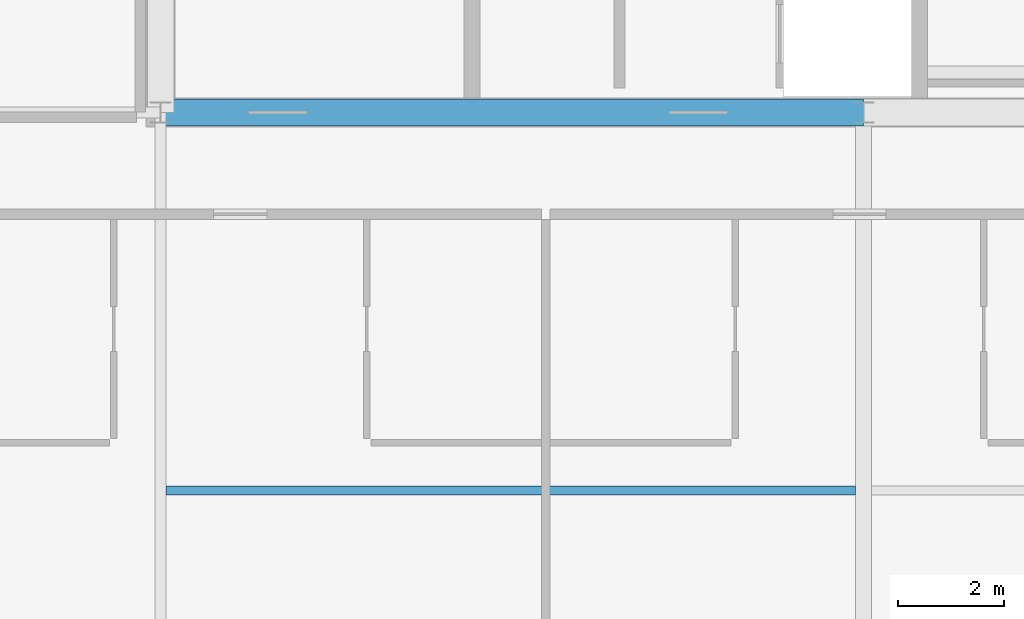
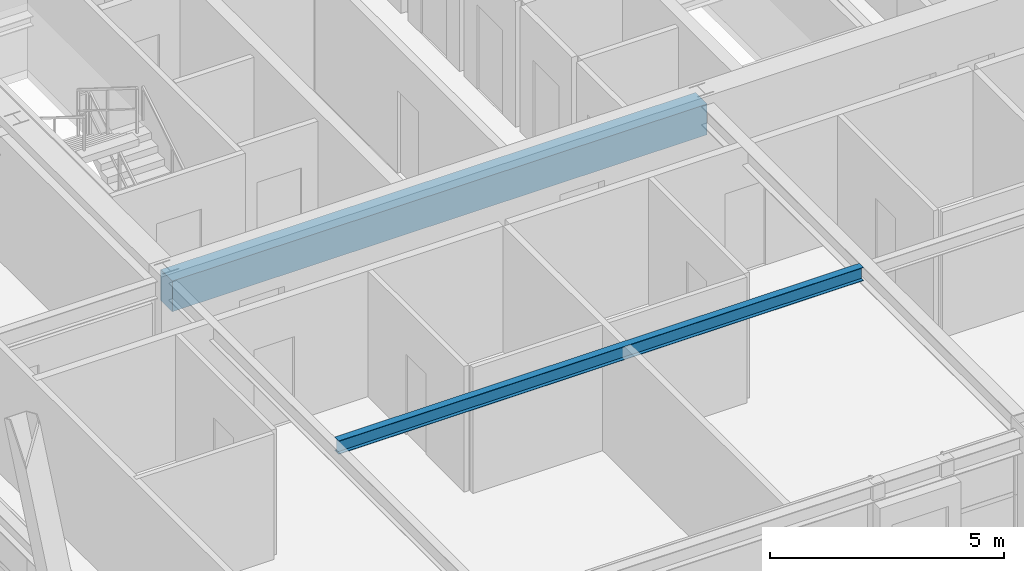
# One storey, part 8 of 34: 2 beams.
"""IFC4 building model written with IfcOpenShell, lengths in metres."""

from ifc_helpers import new_model, si_unit, direction, frame, origin, origin_2d, place, context, subcontext, project, spatial, rectangle, i_section, extrude, source, transform, mapped, material, material_profile, profile_set, type_object, element, save


model = new_model("IFC4")

# Units and contexts
model_context = context("Model", 3, precision=1e-05, world=origin(), true_north=direction((0.0, 1.0)))
body_context = subcontext(model_context, "Body", "Model", "MODEL_VIEW")
ifc_project = project(units=[si_unit("LENGTHUNIT", "METRE"), si_unit("AREAUNIT", "SQUARE_METRE"), si_unit("VOLUMEUNIT", "CUBIC_METRE"), si_unit("PLANEANGLEUNIT", "RADIAN"), si_unit("MASSUNIT", "GRAM", prefix="KILO"), si_unit("THERMODYNAMICTEMPERATUREUNIT", "KELVIN"), si_unit("POWERUNIT", "WATT")], contexts=[model_context])

# Site, building, storey
site_placement = place(None, origin())
site = spatial("IfcSite", under=ifc_project, at=site_placement, CompositionType="ELEMENT")
building_placement = place(site_placement, origin())
building = spatial("IfcBuilding", under=site, at=building_placement, Name="Yuzanri Waterfront Tower", CompositionType="ELEMENT")
storey_placement = place(building_placement, frame((0.0, 0.0, 241.60009765625)))
storey = spatial("IfcBuildingStorey", under=building, at=storey_placement, Name="L64", CompositionType="ELEMENT", Elevation=241.60009765625)

# Beams
ifc_material_1 = material(Name="Concrete C50", Category="concrete")
ifc_material_profile_1 = material_profile(ifc_material_1, rectangle(XDim=0.5, YDim=0.800048828125, at=origin_2d()), Name="RC 500x800")
ifc_profile_set_1 = profile_set([ifc_material_profile_1], Name="Concrete C50")
beam_type_1 = type_object("IfcBeamType", Name="Core Coupling Lintel Concrete C50 500x800", PredefinedType="LINTEL", material=ifc_profile_set_1)
shared_shape_1 = source(origin(), body_context, "Body", "SweptSolid", [
    extrude(rectangle(XDim=0.5, YDim=0.800048828125, at=origin_2d()), origin(), (0.0, 0.0, 1.0), 13.199951171875),
])
beam_1_placement = place(storey_placement, frame((23.800048828125, 19.39990234375, 2.8798828125), z_axis=(1.0, 0.0, 0.0), x_axis=(0.0, 1.0, 0.0)))
element("IfcBeam", 1, at=beam_1_placement, inside=storey, type_object=beam_type_1, Name="L64 Core Tie Beam CS1", PredefinedType="LINTEL", context=body_context, shape_type="MappedRepresentation", body=[
    mapped(shared_shape_1, transform((0.0, 0.0, 0.0), scale=1.0)),
])
ifc_material_2 = material(Name="Steel Q355B", Category="steel")
ifc_material_profile_2 = material_profile(ifc_material_2, i_section(OverallWidth=0.175048828125, OverallDepth=0.35009765625, WebThickness=0.007080078125, FlangeThickness=0.010986328125, at=origin_2d()), Name="HN 350x175x7x11")
ifc_profile_set_2 = profile_set([ifc_material_profile_2], Name="Steel Q355B")
beam_type_2 = type_object("IfcBeamType", Name="Floor Joist Q355B HN 350x175", PredefinedType="JOIST", material=ifc_profile_set_2)
shared_shape_2 = source(origin(), body_context, "Body", "SweptSolid", [
    extrude(i_section(OverallWidth=0.175048828125, OverallDepth=0.35009765625, WebThickness=0.007080078125, FlangeThickness=0.010986328125, at=origin_2d()), origin(), (0.0, 0.0, 1.0), 12.9501953125),
])
beam_2_placement = place(storey_placement, frame((23.89990234375, 12.300048828125, 3.10498046875), z_axis=(1.0, 0.0, 0.0), x_axis=(0.0, 1.0, 0.0)))
element("IfcBeam", 2, at=beam_2_placement, inside=storey, type_object=beam_type_2, Name="L64 South Bay Joist W", PredefinedType="JOIST", context=body_context, shape_type="MappedRepresentation", body=[
    mapped(shared_shape_2, transform((0.0, 0.0, 0.0), scale=1.0)),
])

save(model, "model.ifc")
